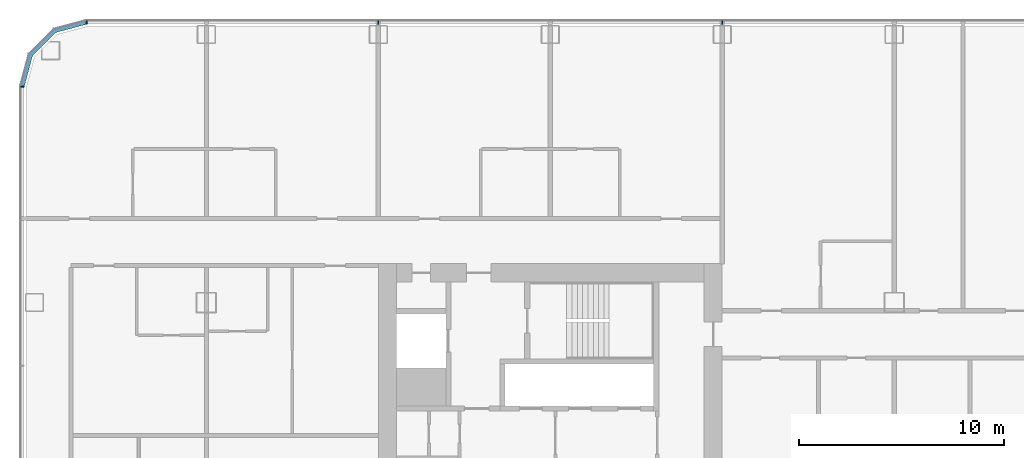
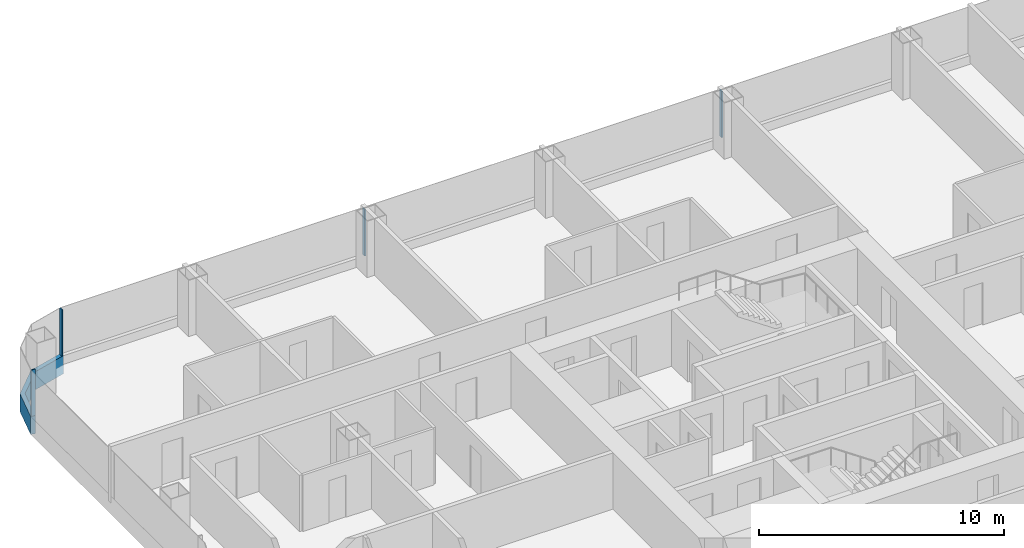
# One storey, part 6 of 28: 5 members, 3 elements without a shape of their own.
"""IFC4 building model written with IfcOpenShell, lengths in metres."""

from ifc_helpers import new_model, si_unit, direction, frame, origin, origin_2d, place, context, subcontext, project, spatial, polyline, rectangle, outline, extrude, material, layer, layer_set, material_profile, profile_set, type_object, element, aggregate, save


model = new_model("IFC4")

# Units and contexts
model_context = context("Model", 3, precision=1e-05, world=origin(), true_north=direction((0.0, 1.0)))
body_context = subcontext(model_context, "Body", "Model", "MODEL_VIEW")
ifc_project = project(units=[si_unit("LENGTHUNIT", "METRE"), si_unit("AREAUNIT", "SQUARE_METRE"), si_unit("VOLUMEUNIT", "CUBIC_METRE"), si_unit("PLANEANGLEUNIT", "RADIAN"), si_unit("MASSUNIT", "GRAM", prefix="KILO")], contexts=[model_context])

# Site, building, storey
site_placement = place(None, origin())
site = spatial("IfcSite", under=ifc_project, at=site_placement, CompositionType="ELEMENT")
building_placement = place(site_placement, origin())
building = spatial("IfcBuilding", under=site, at=building_placement, Name="Hakoniwa Tower and Hamabe Station Hall", CompositionType="ELEMENT")
storey_placement = place(building_placement, frame((0.0, 0.0, 35.800048828125)))
storey = spatial("IfcBuildingStorey", under=building, at=storey_placement, Name="L09", CompositionType="ELEMENT", Elevation=35.800048828125)

# Curtain wall, member
ifc_material_1 = material(Name="Dark low-e laminated glass", Category="glass")
ifc_layer = layer(ifc_material_1, 0.199951171875)
ifc_layer_set = layer_set([ifc_layer], Name="CW-1 UNITISED GUEST")
curtain_wall_type = type_object("IfcCurtainWallType", Name="CW-1 UNITISED GUEST", PredefinedType="NOTDEFINED", material=ifc_layer_set)
curtain_wall_1_placement = place(storey_placement, origin())
curtain_wall_1 = element("IfcCurtainWall", 1, at=curtain_wall_1_placement, inside=storey, type_object=curtain_wall_type, Name="CW-1 curtain wall", PredefinedType="NOTDEFINED")
ifc_material_2 = material(Name="Aluminium 6063-T5 black anodised", Category="aluminium")
ifc_material_profile_1 = material_profile(ifc_material_2, rectangle(XDim=0.199951171875, YDim=0.89990234375, at=origin_2d()), Name="CW SLAB-EDGE BAND 900X200")
ifc_profile_set_1 = profile_set([ifc_material_profile_1], Name="Aluminium 6063-T5 black anodised")
member_type_1 = type_object("IfcMemberType", Name="CW SLAB-EDGE BAND 900X200", PredefinedType="USERDEFINED", material=ifc_profile_set_1)
member_1_placement = place(storey_placement, frame((0.0, 0.0, -0.550048828125)))
member_1 = element("IfcMember", 2, at=member_1_placement, type_object=member_type_1, Name="CW-1 transom", ObjectType="TRANSOM", PredefinedType="USERDEFINED", context=body_context, shape_type="SweptSolid", body=[
    extrude(outline(polyline([(-47.839599609375, 20.300048828125), (-49.455322265625, 19.866943359375), (-50.6669921875, 18.6552734375), (-51.10009765625, 17.03955078125), (-50.90673828125, 16.98779296875), (-50.48779296875, 18.5517578125), (-49.351806640625, 19.687744140625), (-47.787841796875, 20.10693359375), (-47.839599609375, 20.300048828125)])), origin(), (0.0, 0.0, 1.0), 0.89990234375),
])
aggregate(curtain_wall_1, [member_1])

# Curtain wall, members
curtain_wall_2_placement = place(storey_placement, origin())
curtain_wall_2 = element("IfcCurtainWall", 3, at=curtain_wall_2_placement, inside=storey, type_object=curtain_wall_type, Name="CW-1 curtain wall", PredefinedType="NOTDEFINED")
ifc_material_3 = material(Name="Aluminium 6063-T5 black anodised", Category="aluminium")
ifc_material_profile_2 = material_profile(ifc_material_3, rectangle(XDim=0.06005859375, YDim=0.179931640625, at=origin_2d()), Name="CW-1 MULLION 60X180")
ifc_profile_set_2 = profile_set([ifc_material_profile_2], Name="Aluminium 6063-T5 black anodised")
member_type_2 = type_object("IfcMemberType", Name="CW-1 MULLION 60X180", PredefinedType="MULLION", material=ifc_profile_set_2)
member_2_placement = place(storey_placement, frame((-16.800048828125, 20.181884765625, 0.349853515625), z_axis=(0.0, 0.0, 1.0), x_axis=(-1.0, 0.0, 0.0)))
member_2 = element("IfcMember", 4, at=member_2_placement, type_object=member_type_2, Name="CW-1 mullion", PredefinedType="MULLION", context=body_context, shape_type="SweptSolid", body=[
    extrude(rectangle(XDim=0.06005859375, YDim=0.179931640625, at=origin_2d()), origin(), (0.0, 0.0, 1.0), 2.300048828125),
])
member_3_placement = place(storey_placement, frame((-33.60009765625, 20.181884765625, 0.349853515625), z_axis=(0.0, 0.0, 1.0), x_axis=(-1.0, 0.0, 0.0)))
member_3 = element("IfcMember", 5, at=member_3_placement, type_object=member_type_2, Name="CW-1 mullion", PredefinedType="MULLION", context=body_context, shape_type="SweptSolid", body=[
    extrude(rectangle(XDim=0.06005859375, YDim=0.179931640625, at=origin_2d()), origin(), (0.0, 0.0, 1.0), 2.300048828125),
])
member_4_placement = place(storey_placement, frame((-47.839599609375, 20.181884765625, 0.349853515625), z_axis=(0.0, 0.0, 1.0), x_axis=(-1.0, 0.0, 0.0)))
member_4 = element("IfcMember", 6, at=member_4_placement, type_object=member_type_2, Name="CW-1 mullion", PredefinedType="MULLION", context=body_context, shape_type="SweptSolid", body=[
    extrude(rectangle(XDim=0.06005859375, YDim=0.179931640625, at=origin_2d()), origin(), (0.0, 0.0, 1.0), 2.300048828125),
])
aggregate(curtain_wall_2, [member_2, member_3, member_4])

# Curtain wall, member
curtain_wall_3_placement = place(storey_placement, origin())
curtain_wall_3 = element("IfcCurtainWall", 7, at=curtain_wall_3_placement, inside=storey, type_object=curtain_wall_type, Name="CW-1 curtain wall", PredefinedType="NOTDEFINED")
member_5_placement = place(storey_placement, frame((-50.98193359375, 17.03955078125, 0.349853515625), z_axis=(0.0, 0.0, 1.0), x_axis=(0.0, -1.0, 0.0)))
member_5 = element("IfcMember", 8, at=member_5_placement, type_object=member_type_2, Name="CW-1 mullion", PredefinedType="MULLION", context=body_context, shape_type="SweptSolid", body=[
    extrude(rectangle(XDim=0.06005859375, YDim=0.179931640625, at=origin_2d()), origin(), (0.0, 0.0, 1.0), 2.300048828125),
])
aggregate(curtain_wall_3, [member_5])

save(model, "model.ifc")
